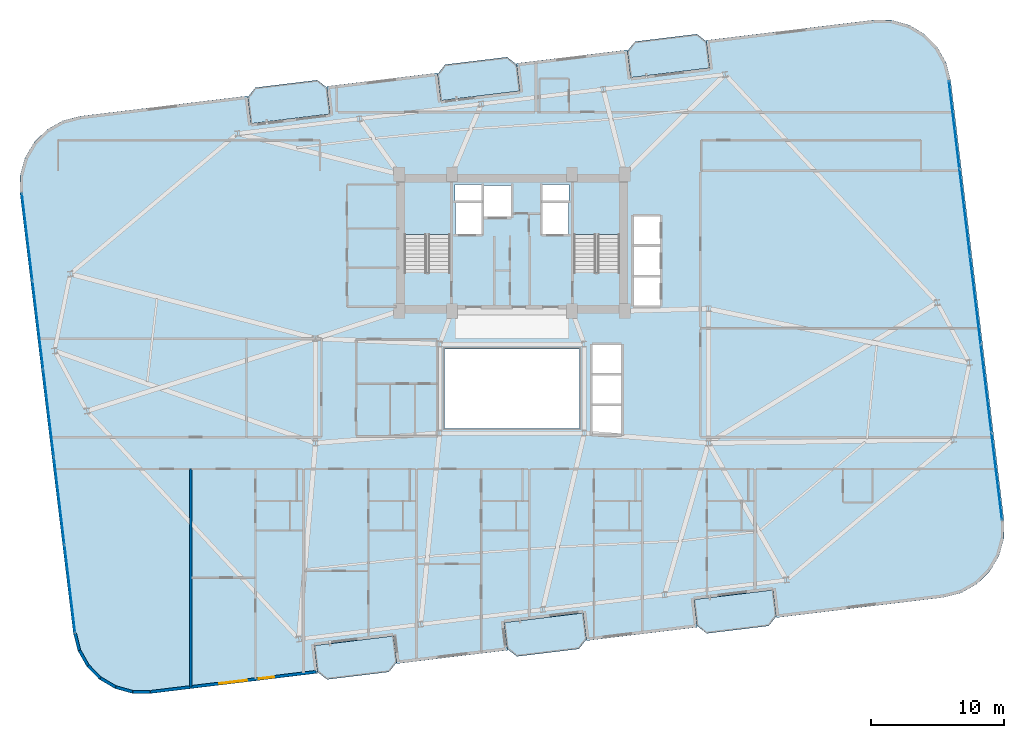
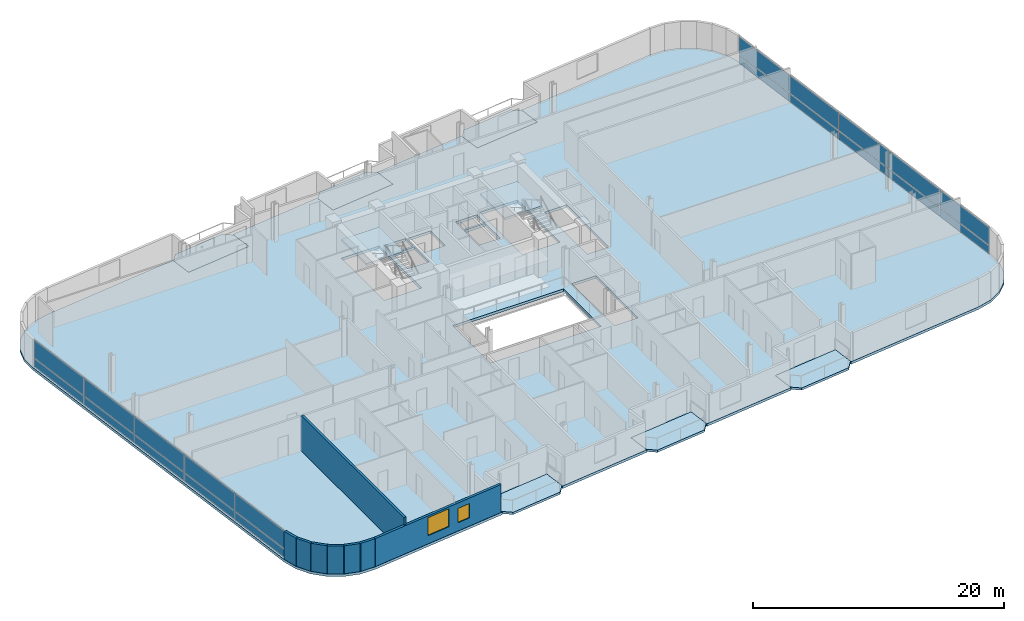
# One storey, part 13 of 23: 20 plates, 9 slabs, 8 walls, 2 windows, 2 openings, 4 elements without a shape of their own.
"""IFC4 building model written with IfcOpenShell, lengths in metres."""

import ifcopenshell
import ifcopenshell.guid

model = None  # the IFC model being written
_history = None  # IfcOwnerHistory: only IFC2X3 demands one
_inside = {}  # id of a spatial element -> (the spatial element, [elements in it])
_under = {}  # id of a project, library or spatial element -> (it, [spatial elements below it])
_declared = {}  # id of a project -> (the project, [libraries it declares])
_typed = {}  # id of a type object -> (the type object, [elements of that type])
_made_of = {}  # id of a material, layer set ... -> (it, [elements and type objects made of it])


def new_model(schema):
    """Start an empty IFC model of exactly this schema.

    Asked for "IFC4X3", IfcOpenShell would pick the latest addendum, in which some entities
    have other attributes; the version numbers below select the first issue.
    IFC2X3 requires an IfcOwnerHistory on every rooted entity: one is made here for all.
    """
    global model, _history
    if schema == "IFC4X3":
        model = ifcopenshell.file(schema_version=(4, 3, 0, 0))
    else:
        model = ifcopenshell.file(schema=schema)
    _inside.clear()
    _under.clear()
    _declared.clear()
    _typed.clear()
    _made_of.clear()
    _history = None
    if model.schema == "IFC2X3":
        org = make("IfcOrganization", Name="unknown")
        user = make(
            "IfcPersonAndOrganization",
            ThePerson=make("IfcPerson", FamilyName="unknown"),
            TheOrganization=org,
        )
        app = make(
            "IfcApplication",
            ApplicationDeveloper=org,
            Version="unknown",
            ApplicationFullName="unknown",
            ApplicationIdentifier="unknown",
        )
        _history = make(
            "IfcOwnerHistory",
            OwningUser=user,
            OwningApplication=app,
            ChangeAction="ADDED",
            CreationDate=0,
        )
    return model


def make(cls, **values):
    """One entity of the class cls with the attributes given. An attribute that is None is left unset."""
    return model.create_entity(
        cls, **{name: value for name, value in values.items() if value is not None}
    )


def rooted(cls, **values):
    """An entity with a GlobalId (a new one), such as an element, a storey or a relation."""
    return make(cls, GlobalId=ifcopenshell.guid.new(), OwnerHistory=_history, **values)


def si_unit(unit_type, name, prefix=None):
    """IfcSIUnit, for example si_unit("LENGTHUNIT", "METRE", prefix="MILLI")."""
    return make("IfcSIUnit", UnitType=unit_type, Prefix=prefix, Name=name)


def assignment(units):
    """IfcUnitAssignment: the units of a project."""
    return None if units is None else make("IfcUnitAssignment", Units=units)


def point(xyz):
    """IfcCartesianPoint."""
    return None if xyz is None else make("IfcCartesianPoint", Coordinates=xyz)


def direction(xyz):
    """IfcDirection."""
    return None if xyz is None else make("IfcDirection", DirectionRatios=xyz)


def frame(location, z_axis=None, x_axis=None):
    """IfcAxis2Placement3D, a coordinate frame: its origin and axes. An axis left out is left unset."""
    return make(
        "IfcAxis2Placement3D",
        Location=point(location),
        Axis=direction(z_axis),
        RefDirection=direction(x_axis),
    )


def frame_2d(location, x_axis=None):
    """IfcAxis2Placement2D, a coordinate frame in the plane: its origin and x axis."""
    return make(
        "IfcAxis2Placement2D", Location=point(location), RefDirection=direction(x_axis)
    )


def origin():
    """The frame at (0, 0, 0) with its axes left unset."""
    return frame((0.0, 0.0, 0.0))


def origin_2d():
    """The frame at (0, 0) in the plane with its x axis left unset."""
    return frame_2d((0.0, 0.0))


def place(relative_to, where):
    """IfcLocalPlacement: puts the frame where relative to a parent placement (None: the world)."""
    return make(
        "IfcLocalPlacement", PlacementRelTo=relative_to, RelativePlacement=where
    )


def context(
    kind, dimensions, precision=None, world=None, true_north=None, identifier=None
):
    """IfcGeometricRepresentationContext, for example the 3D "Model" context."""
    return make(
        "IfcGeometricRepresentationContext",
        ContextIdentifier=identifier,
        ContextType=kind,
        CoordinateSpaceDimension=dimensions,
        Precision=precision,
        WorldCoordinateSystem=world,
        TrueNorth=true_north,
    )


def subcontext(parent, identifier, kind, view, scale=None):
    """IfcGeometricRepresentationSubContext, for example "Body" below "Model"."""
    return make(
        "IfcGeometricRepresentationSubContext",
        ContextIdentifier=identifier,
        ContextType=kind,
        ParentContext=parent,
        TargetScale=scale,
        TargetView=view,
    )


def project(units=None, contexts=None):
    """IfcProject with its units and contexts."""
    return rooted(
        "IfcProject",
        Name="project",
        RepresentationContexts=contexts,
        UnitsInContext=assignment(units),
    )


def spatial(cls, under=None, at=None, **own):
    """A site, building, storey or space (cls), placed at a placement, below another one or the project."""
    s = rooted(cls, ObjectPlacement=at, **own)
    if under is not None:
        _under.setdefault(under.id(), (under, []))[1].append(s)
    return s


def polyline(points):
    """IfcPolyline through the points."""
    return make("IfcPolyline", Points=[point(p) for p in points])


def profile(cls, at=None, kind="AREA", **sizes):
    """A parametric profile (cls). Its sizes go by their IFC names, for example OverallWidth=200.0."""
    return make(cls, ProfileType=kind, Position=at, **sizes)


def rectangle(**sizes):
    """IfcRectangleProfileDef."""
    return profile("IfcRectangleProfileDef", **sizes)


def outline(outer, holes=None, kind="AREA"):
    """IfcArbitraryClosedProfileDef: a profile drawn as a closed curve; with holes, ...WithVoids."""
    if holes is None:
        return make("IfcArbitraryClosedProfileDef", ProfileType=kind, OuterCurve=outer)
    return make(
        "IfcArbitraryProfileDefWithVoids",
        ProfileType=kind,
        OuterCurve=outer,
        InnerCurves=holes,
    )


def extrude(swept, where, along, depth):
    """IfcExtrudedAreaSolid: the profile swept, set in the frame where, extruded along a direction by depth."""
    return make(
        "IfcExtrudedAreaSolid",
        SweptArea=swept,
        Position=where,
        ExtrudedDirection=direction(along),
        Depth=depth,
    )


def shape(context_of_items, identifier, shape_type, items):
    """IfcShapeRepresentation: the items that make up one representation, for example the "Body"."""
    return make(
        "IfcShapeRepresentation",
        ContextOfItems=context_of_items,
        RepresentationIdentifier=identifier,
        RepresentationType=shape_type,
        Items=items,
    )


def source(mapping_origin, context_of_items, identifier, shape_type, items):
    """IfcRepresentationMap: a shape defined once, which mapped items show again and again."""
    return make(
        "IfcRepresentationMap",
        MappingOrigin=mapping_origin,
        MappedRepresentation=shape(context_of_items, identifier, shape_type, items),
    )


def transform(
    local_origin,
    x_axis=None,
    y_axis=None,
    z_axis=None,
    scale=None,
    scale2=None,
    scale3=None,
    uniform=True,
):
    """IfcCartesianTransformationOperator3D, or its non-uniform kind. x_axis, y_axis, z_axis: its Axis1, 2, 3."""
    if uniform:
        return make(
            "IfcCartesianTransformationOperator3D",
            Axis1=direction(x_axis),
            Axis2=direction(y_axis),
            LocalOrigin=point(local_origin),
            Scale=scale,
            Axis3=direction(z_axis),
        )
    return make(
        "IfcCartesianTransformationOperator3DnonUniform",
        Axis1=direction(x_axis),
        Axis2=direction(y_axis),
        LocalOrigin=point(local_origin),
        Scale=scale,
        Axis3=direction(z_axis),
        Scale2=scale2,
        Scale3=scale3,
    )


def mapped(mapping_source, mapping_target):
    """IfcMappedItem: shows the shape of a source again, moved by a transform."""
    return make(
        "IfcMappedItem", MappingSource=mapping_source, MappingTarget=mapping_target
    )


def material(Name=None, Category=None):
    """IfcMaterial."""
    return make("IfcMaterial", Name=Name, Category=Category)


def layer(
    of_material, thickness, ventilated=None, Name=None, Category=None, Priority=None
):
    """IfcMaterialLayer: one layer of a wall or slab, of a material (None: an air gap)."""
    return make(
        "IfcMaterialLayer",
        Material=of_material,
        LayerThickness=thickness,
        IsVentilated=ventilated,
        Name=Name,
        Category=Category,
        Priority=Priority,
    )


def layer_set(layers, Name=None):
    """IfcMaterialLayerSet."""
    return make("IfcMaterialLayerSet", MaterialLayers=layers, LayerSetName=Name)


def made_of(thing, what):
    """Note that an element or type object is made of a material, layer set ...; save() writes the relation."""
    if what is not None:
        _made_of.setdefault(what.id(), (what, []))[1].append(thing)
    return thing


def type_object(cls, material=None, **own):
    """A type object (cls), such as IfcWallType, which elements share."""
    return made_of(rooted(cls, **own), material)


def element(
    cls,
    number,
    at=None,
    inside=None,
    cuts=None,
    type_object=None,
    material=None,
    context=None,
    identifier="Body",
    shape_type=None,
    held_by="IfcProductDefinitionShape",
    body=None,
    shapes=None,
    **own,
):
    """One element of the class cls, such as IfcWall. Its Tag is "e" and its number.

    at: its placement. inside: the storey or other place that contains it. cuts: it is an
    opening in that element (IfcRelVoidsElement). A single representation is given by context,
    identifier, shape_type and body (its items); several are given by shapes. held_by: the class
    of the entity that holds the representations. save() writes the other relations.
    """
    e = rooted(cls, Tag="e%d" % number, ObjectPlacement=at, **own)
    if body is not None:
        shapes = [shape(context, identifier, shape_type, body)]
    if shapes is not None:
        e.Representation = make(held_by, Representations=shapes)
    if inside is not None:
        _inside.setdefault(inside.id(), (inside, []))[1].append(e)
    if cuts is not None:
        rooted(
            "IfcRelVoidsElement", RelatingBuildingElement=cuts, RelatedOpeningElement=e
        )
    if type_object is not None:
        _typed.setdefault(type_object.id(), (type_object, []))[1].append(e)
    return made_of(e, material)


def fill(opening, filler):
    """IfcRelFillsElement: the door or window that sits in an opening."""
    return rooted(
        "IfcRelFillsElement",
        RelatingOpeningElement=opening,
        RelatedBuildingElement=filler,
    )


def aggregate(whole, parts):
    """IfcRelAggregates: a whole, such as a stair, and the parts it consists of."""
    return rooted("IfcRelAggregates", RelatingObject=whole, RelatedObjects=parts)


def save(model, path):
    """Write the relations noted so far, then the file.

    IfcRelAggregates (storeys below a building ...), IfcRelContainedInSpatialStructure (elements
    in a storey), IfcRelDefinesByType, IfcRelAssociatesMaterial and IfcRelDeclares: one each for
    every whole, place, type object, material and project.
    """
    for whole, parts in _under.values():
        aggregate(whole, parts)
    for where, things in _inside.values():
        rooted(
            "IfcRelContainedInSpatialStructure",
            RelatedElements=things,
            RelatingStructure=where,
        )
    for kind, things in _typed.values():
        rooted("IfcRelDefinesByType", RelatedObjects=things, RelatingType=kind)
    for what, things in _made_of.values():
        rooted("IfcRelAssociatesMaterial", RelatedObjects=things, RelatingMaterial=what)
    for by, libraries in _declared.values():
        rooted("IfcRelDeclares", RelatingContext=by, RelatedDefinitions=libraries)
    model.write(path)


model = new_model("IFC4")

# Units and contexts
model_context = context("Model", 3, precision=1e-05, world=origin(), true_north=direction((0.0, 1.0)))
body_context = subcontext(model_context, "Body", "Model", "MODEL_VIEW")
ifc_project = project(units=[si_unit("LENGTHUNIT", "METRE"), si_unit("AREAUNIT", "SQUARE_METRE"), si_unit("VOLUMEUNIT", "CUBIC_METRE"), si_unit("PLANEANGLEUNIT", "RADIAN"), si_unit("MASSUNIT", "GRAM", prefix="KILO")], contexts=[model_context])

# Site, building, storey
site_placement = place(None, origin())
site = spatial("IfcSite", under=ifc_project, at=site_placement, CompositionType="ELEMENT")
building_placement = place(site_placement, origin())
building = spatial("IfcBuilding", under=site, at=building_placement, Name="Varnelok Gate Tower", CompositionType="ELEMENT")
storey_placement = place(building_placement, frame((0.0, 0.0, 193.10009765625)))
storey = spatial("IfcBuildingStorey", under=building, at=storey_placement, Name="L49", CompositionType="ELEMENT", Elevation=193.10009765625)

# Slabs
ifc_material_1 = material(Name="Concrete C45/55", Category="concrete")
ifc_layer_1 = layer(ifc_material_1, 0.219970703125)
ifc_layer_set_1 = layer_set([ifc_layer_1], Name="Concrete C45/55")
slab_type_1 = type_object("IfcSlabType", Name="SLB-BALC-220", PredefinedType="FLOOR", material=ifc_layer_set_1)
slab_1_placement = place(storey_placement, frame((0.0, 0.0, -0.22021484375)))
element("IfcSlab", 1, at=slab_1_placement, inside=storey, type_object=slab_type_1, Name="L49 South Hollow Balcony 1", PredefinedType="FLOOR", context=body_context, shape_type="SweptSolid", body=[
    extrude(outline(polyline([(24.550048828125, 1.564453125), (25.2734375, 0.997314453125), (29.939208984375, 1.56298828125), (30.50634765625, 2.28662109375), (30.265625, 4.27197265625), (24.309326171875, 3.5498046875), (24.550048828125, 1.564453125)])), origin(), (0.0, 0.0, 1.0), 0.22021484375),
])
slab_2_placement = place(storey_placement, frame((0.0, 0.0, -0.22021484375)))
element("IfcSlab", 2, at=slab_2_placement, inside=storey, type_object=slab_type_1, Name="L49 South Hollow Balcony 2", PredefinedType="FLOOR", context=body_context, shape_type="SweptSolid", body=[
    extrude(outline(polyline([(38.84521484375, 3.29736328125), (39.56884765625, 2.73046875), (44.234619140625, 3.2958984375), (44.8017578125, 4.01953125), (44.56103515625, 6.0048828125), (38.6044921875, 5.282958984375), (38.84521484375, 3.29736328125)])), origin(), (0.0, 0.0, 1.0), 0.22021484375),
])
slab_3_placement = place(storey_placement, frame((0.0, 0.0, -0.22021484375)))
element("IfcSlab", 3, at=slab_3_placement, inside=storey, type_object=slab_type_1, Name="L49 South Hollow Balcony 3", PredefinedType="FLOOR", context=body_context, shape_type="SweptSolid", body=[
    extrude(outline(polyline([(53.140625, 5.030517578125), (53.8642578125, 4.46337890625), (58.530029296875, 5.02880859375), (59.09716796875, 5.75244140625), (58.8564453125, 7.73779296875), (52.89990234375, 7.015869140625), (53.140625, 5.030517578125)])), origin(), (0.0, 0.0, 1.0), 0.22021484375),
])
slab_4_placement = place(storey_placement, frame((0.0, 0.0, -0.22021484375)))
element("IfcSlab", 4, at=slab_4_placement, inside=storey, type_object=slab_type_1, Name="L49 North Hollow Balcony 1", PredefinedType="FLOOR", context=body_context, shape_type="SweptSolid", body=[
    extrude(outline(polyline([(19.543701171875, 42.862060546875), (25.5, 43.584228515625), (25.25927734375, 45.569580078125), (24.535888671875, 46.13671875), (19.8701171875, 45.571044921875), (19.302978515625, 44.84765625), (19.543701171875, 42.862060546875)])), origin(), (0.0, 0.0, 1.0), 0.22021484375),
])
slab_5_placement = place(storey_placement, frame((0.0, 0.0, -0.22021484375)))
element("IfcSlab", 5, at=slab_5_placement, inside=storey, type_object=slab_type_1, Name="L49 North Hollow Balcony 2", PredefinedType="FLOOR", context=body_context, shape_type="SweptSolid", body=[
    extrude(outline(polyline([(33.839111328125, 44.59521484375), (39.79541015625, 45.317138671875), (39.5546875, 47.302490234375), (38.831298828125, 47.86962890625), (34.165283203125, 47.303955078125), (33.598388671875, 46.58056640625), (33.839111328125, 44.59521484375)])), origin(), (0.0, 0.0, 1.0), 0.22021484375),
])
slab_6_placement = place(storey_placement, frame((0.0, 0.0, -0.22021484375)))
element("IfcSlab", 6, at=slab_6_placement, inside=storey, type_object=slab_type_1, Name="L49 North Hollow Balcony 3", PredefinedType="FLOOR", context=body_context, shape_type="SweptSolid", body=[
    extrude(outline(polyline([(48.13427734375, 46.327880859375), (54.0908203125, 47.050048828125), (53.85009765625, 49.03564453125), (53.12646484375, 49.6025390625), (48.460693359375, 49.037109375), (47.8935546875, 48.3134765625), (48.13427734375, 46.327880859375)])), origin(), (0.0, 0.0, 1.0), 0.22021484375),
])

# Stair, slab
ifc_material_2 = material(Name="Concrete C50/60", Category="concrete")
stair_type = type_object("IfcStairType", Name="STR-CORE-1650", PredefinedType="HALF_TURN_STAIR", material=ifc_material_2)
stair_1_placement = place(storey_placement, origin())
stair_1 = element("IfcStair", 7, at=stair_1_placement, inside=storey, type_object=stair_type, Name="L49 Exit Stair ST-1", PredefinedType="HALF_TURN_STAIR")
ifc_layer_2 = layer(ifc_material_1, 0.199951171875)
ifc_layer_set_2 = layer_set([ifc_layer_2], Name="Concrete C45/55")
slab_type_2 = type_object("IfcSlabType", Name="SLB-LAND-200", PredefinedType="LANDING", material=ifc_layer_set_2)
slab_7_placement = place(storey_placement, frame((0.0, 0.0, 1.64990234375)))
slab_7 = element("IfcSlab", 8, at=slab_7_placement, type_object=slab_type_2, Name="ST-1 landing 1", PredefinedType="LANDING", context=body_context, shape_type="SweptSolid", body=[
    extrude(outline(polyline([(34.550048828125, 34.5), (34.550048828125, 38.449951171875), (31.10009765625, 38.449951171875), (31.10009765625, 34.5), (34.550048828125, 34.5)])), origin(), (0.0, 0.0, 1.0), 0.199951171875),
])
aggregate(stair_1, [slab_7])

stair_2_placement = place(storey_placement, origin())
stair_2 = element("IfcStair", 9, at=stair_2_placement, inside=storey, type_object=stair_type, Name="L49 Exit Stair ST-2", PredefinedType="HALF_TURN_STAIR")
slab_8_placement = place(storey_placement, frame((0.0, 0.0, 1.64990234375)))
slab_8 = element("IfcSlab", 10, at=slab_8_placement, type_object=slab_type_2, Name="ST-2 landing 1", PredefinedType="LANDING", context=body_context, shape_type="SweptSolid", body=[
    extrude(outline(polyline([(47.300048828125, 34.5), (47.300048828125, 38.449951171875), (43.85009765625, 38.449951171875), (43.85009765625, 34.5), (47.300048828125, 34.5)])), origin(), (0.0, 0.0, 1.0), 0.199951171875),
])
aggregate(stair_2, [slab_8])

# Slab
ifc_layer_3 = layer(ifc_material_2, 0.25)
ifc_layer_set_3 = layer_set([ifc_layer_3], Name="Concrete C50/60")
slab_type_3 = type_object("IfcSlabType", Name="SLB-TYP-250", PredefinedType="FLOOR", material=ifc_layer_set_3)
slab_9_placement = place(storey_placement, frame((0.0, 0.0, -0.25)))
element("IfcSlab", 11, at=slab_9_placement, inside=storey, type_object=slab_type_3, Name="L49 Structural Floor Slab", PredefinedType="FLOOR", context=body_context, shape_type="SweptSolid", body=[
    extrude(outline(polyline([(6.166259765625, 4.47314453125), (6.504150390625, 3.158447265625), (7.1708984375, 1.975830078125), (8.120849609375, 1.006103515625), (9.289306640625, 0.3154296875), (10.596923828125, -0.04931640625), (11.954345703125, -0.063232421875), (22.87451171875, 1.260498046875), (24.56201171875, 1.465087890625), (24.309326171875, 3.5498046875), (30.265625, 4.27197265625), (30.518310546875, 2.187255859375), (38.857421875, 3.197998046875), (38.6044921875, 5.282958984375), (44.56103515625, 6.0048828125), (44.813720703125, 3.920166015625), (53.152587890625, 4.93115234375), (52.89990234375, 7.015869140625), (58.8564453125, 7.73779296875), (59.109130859375, 5.6533203125), (60.796630859375, 5.85791015625), (71.716796875, 7.181396484375), (73.031494140625, 7.519287109375), (74.214111328125, 8.18603515625), (75.183837890625, 9.135986328125), (75.87451171875, 10.3046875), (76.2392578125, 11.612060546875), (76.253173828125, 12.969482421875), (72.233642578125, 46.126708984375), (71.895751953125, 47.441650390625), (71.229248046875, 48.6240234375), (70.279296875, 49.59375), (69.110595703125, 50.284423828125), (67.802978515625, 50.6494140625), (66.44580078125, 50.6630859375), (55.525634765625, 49.33935546875), (53.837890625, 49.134765625), (54.0908203125, 47.050048828125), (48.13427734375, 46.327880859375), (47.881591796875, 48.412841796875), (39.54248046875, 47.40185546875), (39.79541015625, 45.317138671875), (33.839111328125, 44.59521484375), (33.586181640625, 46.6796875), (25.247314453125, 45.6689453125), (25.5, 43.584228515625), (19.543701171875, 42.862060546875), (19.291015625, 44.94677734375), (17.603271484375, 44.7421875), (6.68310546875, 43.41845703125), (5.368408203125, 43.08056640625), (4.18603515625, 42.413818359375), (3.21630859375, 41.464111328125), (2.525390625, 40.29541015625), (2.16064453125, 38.98779296875), (2.146728515625, 37.630615234375), (6.166259765625, 4.47314453125)]), holes=[polyline([(34.550048828125, 31.679931640625), (34.550048828125, 38.449951171875), (31.10009765625, 38.449951171875), (31.10009765625, 31.679931640625), (34.550048828125, 31.679931640625)]), polyline([(47.300048828125, 31.679931640625), (47.300048828125, 38.449951171875), (43.85009765625, 38.449951171875), (43.85009765625, 31.679931640625), (47.300048828125, 31.679931640625)]), polyline([(34.949951171875, 34.550048828125), (36.89990234375, 34.550048828125), (36.89990234375, 36.89990234375), (34.949951171875, 36.89990234375), (34.949951171875, 34.550048828125)]), polyline([(41.5, 34.550048828125), (43.449951171875, 34.550048828125), (43.449951171875, 36.89990234375), (41.5, 36.89990234375), (41.5, 34.550048828125)]), polyline([(37.050048828125, 35.85009765625), (39.14990234375, 35.85009765625), (39.14990234375, 38.199951171875), (37.050048828125, 38.199951171875), (37.050048828125, 35.85009765625)]), polyline([(48.35009765625, 29.14990234375), (50.35009765625, 29.14990234375), (50.35009765625, 35.89990234375), (48.35009765625, 35.89990234375), (48.35009765625, 29.14990234375)]), polyline([(45.25, 19.449951171875), (47.449951171875, 19.449951171875), (47.449951171875, 26.199951171875), (45.25, 26.199951171875), (45.25, 19.449951171875)]), polyline([(34.919921875, 37.080078125), (36.89990234375, 37.080078125), (36.89990234375, 38.280029296875), (34.919921875, 38.280029296875), (34.919921875, 37.080078125)]), polyline([(41.5, 37.080078125), (43.47998046875, 37.080078125), (43.47998046875, 38.280029296875), (41.5, 38.280029296875), (41.5, 37.080078125)]), polyline([(34.10009765625, 19.89990234375), (44.300048828125, 19.89990234375), (44.300048828125, 25.89990234375), (34.10009765625, 25.89990234375), (34.10009765625, 19.89990234375)])]), origin(), (0.0, 0.0, 1.0), 0.25),
])

# Curtain wall, plates
ifc_material_3 = material(Name="Anodized Aluminum Alloy 6063-T6", Category="aluminium")
ifc_layer_4 = layer(ifc_material_3, 0.179931640625)
ifc_layer_set_4 = layer_set([ifc_layer_4], Name="Anodized Aluminum Alloy 6063-T6")
curtain_wall_type = type_object("IfcCurtainWallType", Name="CW4-RESIDENCE-VISION", PredefinedType="USERDEFINED", material=ifc_layer_set_4)
curtain_wall_1_placement = place(storey_placement, origin())
curtain_wall_1 = element("IfcCurtainWall", 12, at=curtain_wall_1_placement, inside=storey, type_object=curtain_wall_type, Name="L49 West End Vision Curtain Wall", ObjectType="UNITISED CURTAIN WALL", PredefinedType="USERDEFINED")
ifc_material_4 = material(Name="Low-E Laminated Double Glazing IGU", Category="glass")
ifc_layer_5 = layer(ifc_material_4, 0.035888671875)
ifc_layer_set_5 = layer_set([ifc_layer_5], Name="Low-E Laminated Double Glazing IGU")
plate_type = type_object("IfcPlateType", Name="CW-PNL-IGU36", PredefinedType="CURTAIN_PANEL", material=ifc_layer_set_5)
shared_shape_1 = source(origin(), body_context, "Body", "SweptSolid", [
    extrude(rectangle(XDim=6.5673828125, YDim=0.035888671875, at=origin_2d()), origin(), (0.0, 0.0, 1.0), 0.78759765625),
])
plate_1_placement = place(storey_placement, frame((5.901123046875, 7.824462890625, 0.074951171875), z_axis=(0.0, 0.0, 1.0), x_axis=(-0.120344511371, 0.992732188751, 0.0)))
plate_1 = element("IfcPlate", 13, at=plate_1_placement, type_object=plate_type, Name="CW4 panel 1.1", PredefinedType="CURTAIN_PANEL", context=body_context, shape_type="MappedRepresentation", body=[
    mapped(shared_shape_1, transform((0.0, 0.0, 0.0), scale=1.0)),
])
plate_2_placement = place(storey_placement, frame((2.68994140625, 34.31298828125, 0.074951171875), z_axis=(0.0, 0.0, 1.0), x_axis=(-0.120344511371, 0.992732188751, 0.0)))
plate_2 = element("IfcPlate", 14, at=plate_2_placement, type_object=plate_type, Name="CW4 panel 5.1", PredefinedType="CURTAIN_PANEL", context=body_context, shape_type="MappedRepresentation", body=[
    mapped(shared_shape_1, transform((0.0, 0.0, 0.0), scale=1.0)),
])

curtain_wall_2_placement = place(storey_placement, origin())
curtain_wall_2 = element("IfcCurtainWall", 15, at=curtain_wall_2_placement, inside=storey, type_object=curtain_wall_type, Name="L49 East End Vision Curtain Wall", ObjectType="UNITISED CURTAIN WALL", PredefinedType="USERDEFINED")
plate_3_placement = place(storey_placement, frame((72.4990234375, 42.775634765625, 0.074951171875), z_axis=(0.0, 0.0, 1.0), x_axis=(0.120344511371, -0.992732188751, 0.0)))
plate_3 = element("IfcPlate", 16, at=plate_3_placement, type_object=plate_type, Name="CW4 panel 1.1", PredefinedType="CURTAIN_PANEL", context=body_context, shape_type="MappedRepresentation", body=[
    mapped(shared_shape_1, transform((0.0, 0.0, 0.0), scale=1.0)),
])
plate_4_placement = place(storey_placement, frame((75.7099609375, 16.287109375, 0.074951171875), z_axis=(0.0, 0.0, 1.0), x_axis=(0.120344511371, -0.992732188751, 0.0)))
plate_4 = element("IfcPlate", 17, at=plate_4_placement, type_object=plate_type, Name="CW4 panel 5.1", PredefinedType="CURTAIN_PANEL", context=body_context, shape_type="MappedRepresentation", body=[
    mapped(shared_shape_1, transform((0.0, 0.0, 0.0), scale=1.0)),
])

# Plate
shared_shape_2 = source(origin(), body_context, "Body", "SweptSolid", [
    extrude(rectangle(XDim=6.5673828125, YDim=0.035888671875, at=origin_2d()), origin(), (0.0, 0.0, 1.0), 1.717529296875),
])
plate_5_placement = place(storey_placement, frame((5.901123046875, 7.824462890625, 0.9375), z_axis=(0.0, 0.0, 1.0), x_axis=(-0.120344511371, 0.992732188751, 0.0)))
plate_5 = element("IfcPlate", 18, at=plate_5_placement, type_object=plate_type, Name="CW4 panel 1.2", PredefinedType="CURTAIN_PANEL", context=body_context, shape_type="MappedRepresentation", body=[
    mapped(shared_shape_2, transform((0.0, 0.0, 0.0), scale=1.0)),
])

plate_6_placement = place(storey_placement, frame((2.68994140625, 34.31298828125, 0.9375), z_axis=(0.0, 0.0, 1.0), x_axis=(-0.120344511371, 0.992732188751, 0.0)))
plate_6 = element("IfcPlate", 19, at=plate_6_placement, type_object=plate_type, Name="CW4 panel 5.2", PredefinedType="CURTAIN_PANEL", context=body_context, shape_type="MappedRepresentation", body=[
    mapped(shared_shape_2, transform((0.0, 0.0, 0.0), scale=1.0)),
])

plate_7_placement = place(storey_placement, frame((72.4990234375, 42.775634765625, 0.9375), z_axis=(0.0, 0.0, 1.0), x_axis=(0.120344511371, -0.992732188751, 0.0)))
plate_7 = element("IfcPlate", 20, at=plate_7_placement, type_object=plate_type, Name="CW4 panel 1.2", PredefinedType="CURTAIN_PANEL", context=body_context, shape_type="MappedRepresentation", body=[
    mapped(shared_shape_2, transform((0.0, 0.0, 0.0), scale=1.0)),
])

plate_8_placement = place(storey_placement, frame((75.7099609375, 16.287109375, 0.9375), z_axis=(0.0, 0.0, 1.0), x_axis=(0.120344511371, -0.992732188751, 0.0)))
plate_8 = element("IfcPlate", 21, at=plate_8_placement, type_object=plate_type, Name="CW4 panel 5.2", PredefinedType="CURTAIN_PANEL", context=body_context, shape_type="MappedRepresentation", body=[
    mapped(shared_shape_2, transform((0.0, 0.0, 0.0), scale=1.0)),
])

shared_shape_3 = source(origin(), body_context, "Body", "SweptSolid", [
    extrude(rectangle(XDim=6.60498046875, YDim=0.035888671875, at=origin_2d()), origin(), (0.0, 0.0, 1.0), 0.78759765625),
])
plate_9_placement = place(storey_placement, frame((5.099365234375, 14.437255859375, 0.074951171875), z_axis=(0.0, 0.0, 1.0), x_axis=(-0.120344511371, 0.992732188751, 0.0)))
plate_9 = element("IfcPlate", 22, at=plate_9_placement, type_object=plate_type, Name="CW4 panel 2.1", PredefinedType="CURTAIN_PANEL", context=body_context, shape_type="MappedRepresentation", body=[
    mapped(shared_shape_3, transform((0.0, 0.0, 0.0), scale=1.0)),
])

plate_10_placement = place(storey_placement, frame((4.295654296875, 21.068603515625, 0.074951171875), z_axis=(0.0, 0.0, 1.0), x_axis=(-0.120344511371, 0.992732188751, 0.0)))
plate_10 = element("IfcPlate", 23, at=plate_10_placement, type_object=plate_type, Name="CW4 panel 3.1", PredefinedType="CURTAIN_PANEL", context=body_context, shape_type="MappedRepresentation", body=[
    mapped(shared_shape_3, transform((0.0, 0.0, 0.0), scale=1.0)),
])

plate_11_placement = place(storey_placement, frame((3.49169921875, 27.7001953125, 0.074951171875), z_axis=(0.0, 0.0, 1.0), x_axis=(-0.120344511371, 0.992732188751, 0.0)))
plate_11 = element("IfcPlate", 24, at=plate_11_placement, type_object=plate_type, Name="CW4 panel 4.1", PredefinedType="CURTAIN_PANEL", context=body_context, shape_type="MappedRepresentation", body=[
    mapped(shared_shape_3, transform((0.0, 0.0, 0.0), scale=1.0)),
])

plate_12_placement = place(storey_placement, frame((73.300537109375, 36.162841796875, 0.074951171875), z_axis=(0.0, 0.0, 1.0), x_axis=(0.120344511371, -0.992732188751, 0.0)))
plate_12 = element("IfcPlate", 25, at=plate_12_placement, type_object=plate_type, Name="CW4 panel 2.1", PredefinedType="CURTAIN_PANEL", context=body_context, shape_type="MappedRepresentation", body=[
    mapped(shared_shape_3, transform((0.0, 0.0, 0.0), scale=1.0)),
])

plate_13_placement = place(storey_placement, frame((74.1044921875, 29.53125, 0.074951171875), z_axis=(0.0, 0.0, 1.0), x_axis=(0.120344511371, -0.992732188751, 0.0)))
plate_13 = element("IfcPlate", 26, at=plate_13_placement, type_object=plate_type, Name="CW4 panel 3.1", PredefinedType="CURTAIN_PANEL", context=body_context, shape_type="MappedRepresentation", body=[
    mapped(shared_shape_3, transform((0.0, 0.0, 0.0), scale=1.0)),
])

plate_14_placement = place(storey_placement, frame((74.908447265625, 22.89990234375, 0.074951171875), z_axis=(0.0, 0.0, 1.0), x_axis=(0.120344511371, -0.992732188751, 0.0)))
plate_14 = element("IfcPlate", 27, at=plate_14_placement, type_object=plate_type, Name="CW4 panel 4.1", PredefinedType="CURTAIN_PANEL", context=body_context, shape_type="MappedRepresentation", body=[
    mapped(shared_shape_3, transform((0.0, 0.0, 0.0), scale=1.0)),
])

shared_shape_4 = source(origin(), body_context, "Body", "SweptSolid", [
    extrude(rectangle(XDim=6.60498046875, YDim=0.035888671875, at=origin_2d()), origin(), (0.0, 0.0, 1.0), 1.717529296875),
])
plate_15_placement = place(storey_placement, frame((5.099365234375, 14.437255859375, 0.9375), z_axis=(0.0, 0.0, 1.0), x_axis=(-0.120344511371, 0.992732188751, 0.0)))
plate_15 = element("IfcPlate", 28, at=plate_15_placement, type_object=plate_type, Name="CW4 panel 2.2", PredefinedType="CURTAIN_PANEL", context=body_context, shape_type="MappedRepresentation", body=[
    mapped(shared_shape_4, transform((0.0, 0.0, 0.0), scale=1.0)),
])

plate_16_placement = place(storey_placement, frame((4.295654296875, 21.068603515625, 0.9375), z_axis=(0.0, 0.0, 1.0), x_axis=(-0.120344511371, 0.992732188751, 0.0)))
plate_16 = element("IfcPlate", 29, at=plate_16_placement, type_object=plate_type, Name="CW4 panel 3.2", PredefinedType="CURTAIN_PANEL", context=body_context, shape_type="MappedRepresentation", body=[
    mapped(shared_shape_4, transform((0.0, 0.0, 0.0), scale=1.0)),
])

plate_17_placement = place(storey_placement, frame((3.49169921875, 27.7001953125, 0.9375), z_axis=(0.0, 0.0, 1.0), x_axis=(-0.120344511371, 0.992732188751, 0.0)))
plate_17 = element("IfcPlate", 30, at=plate_17_placement, type_object=plate_type, Name="CW4 panel 4.2", PredefinedType="CURTAIN_PANEL", context=body_context, shape_type="MappedRepresentation", body=[
    mapped(shared_shape_4, transform((0.0, 0.0, 0.0), scale=1.0)),
])

aggregate(curtain_wall_1, [plate_1, plate_5, plate_9, plate_15, plate_10, plate_16, plate_11, plate_17, plate_2, plate_6])

plate_18_placement = place(storey_placement, frame((73.300537109375, 36.162841796875, 0.9375), z_axis=(0.0, 0.0, 1.0), x_axis=(0.120344511371, -0.992732188751, 0.0)))
plate_18 = element("IfcPlate", 31, at=plate_18_placement, type_object=plate_type, Name="CW4 panel 2.2", PredefinedType="CURTAIN_PANEL", context=body_context, shape_type="MappedRepresentation", body=[
    mapped(shared_shape_4, transform((0.0, 0.0, 0.0), scale=1.0)),
])

plate_19_placement = place(storey_placement, frame((74.1044921875, 29.53125, 0.9375), z_axis=(0.0, 0.0, 1.0), x_axis=(0.120344511371, -0.992732188751, 0.0)))
plate_19 = element("IfcPlate", 32, at=plate_19_placement, type_object=plate_type, Name="CW4 panel 3.2", PredefinedType="CURTAIN_PANEL", context=body_context, shape_type="MappedRepresentation", body=[
    mapped(shared_shape_4, transform((0.0, 0.0, 0.0), scale=1.0)),
])

plate_20_placement = place(storey_placement, frame((74.908447265625, 22.89990234375, 0.9375), z_axis=(0.0, 0.0, 1.0), x_axis=(0.120344511371, -0.992732188751, 0.0)))
plate_20 = element("IfcPlate", 33, at=plate_20_placement, type_object=plate_type, Name="CW4 panel 4.2", PredefinedType="CURTAIN_PANEL", context=body_context, shape_type="MappedRepresentation", body=[
    mapped(shared_shape_4, transform((0.0, 0.0, 0.0), scale=1.0)),
])

aggregate(curtain_wall_2, [plate_3, plate_7, plate_12, plate_18, plate_13, plate_19, plate_14, plate_20, plate_4, plate_8])

# Walls
ifc_layer_6 = layer(ifc_material_1, 0.219970703125)
ifc_layer_set_6 = layer_set([ifc_layer_6], Name="Concrete C45/55")
wall_type_1 = type_object("IfcWallType", Name="EW-BALC-220", PredefinedType="SOLIDWALL", material=ifc_layer_set_6)
wall_1_placement = place(storey_placement, frame((6.286376953125, 4.48779296875, 0.0), z_axis=(0.0, 0.0, 1.0), x_axis=(0.248942347653, -0.968518305219, 0.0)))
element("IfcWall", 34, at=wall_1_placement, inside=storey, type_object=wall_type_1, Name="L49 Perimeter Facade Closure Wall 1", PredefinedType="SOLIDWALL", context=body_context, shape_type="SweptSolid", body=[
    extrude(rectangle(XDim=1.325927734375, YDim=0.219970703125, at=frame_2d((0.6630859375, 0.0))), origin(), (0.0, 0.0, 1.0), 2.72998046875),
])
for number, where, z_axis, x_axis, name in (
    (35, (6.62890625, 3.181884765625, 0.0), (0.0, 0.0, 1.0), (0.490956091431, -0.871184318205, 0.0), "L49 Perimeter Facade Closure Wall 2"),
    (36, (7.28515625, 2.03076171875, 0.0), (0.0, 0.0, 1.0), (0.699844331926, -0.714295394827, 0.0), "L49 Perimeter Facade Closure Wall 3"),
    (37, (8.217041015625, 1.088623046875, 0.0), (0.0, 0.0, 1.0), (0.860885425627, -0.508798863936, 0.0), "L49 Perimeter Facade Closure Wall 4"),
):
    element("IfcWall", number, at=place(storey_placement, frame(where, z_axis=z_axis, x_axis=x_axis)), inside=storey, type_object=wall_type_1, Name=name, PredefinedType="SOLIDWALL", context=body_context, shape_type="SweptSolid", body=[
        extrude(rectangle(XDim=1.30078125, YDim=0.219970703125, at=frame_2d((0.650390625, 0.0))), origin(), (0.0, 0.0, 1.0), 2.72998046875),
    ])
wall_2_placement = place(storey_placement, frame((9.36083984375, 0.420166015625, 0.0), z_axis=(0.0, 0.0, 1.0), x_axis=(0.963218895288, -0.268717992997, 0.0)))
element("IfcWall", 38, at=wall_2_placement, inside=storey, type_object=wall_type_1, Name="L49 Perimeter Facade Closure Wall 5", PredefinedType="SOLIDWALL", context=body_context, shape_type="SweptSolid", body=[
    extrude(rectangle(XDim=1.301025390625, YDim=0.219970703125, at=frame_2d((0.650390625, 0.0))), origin(), (0.0, 0.0, 1.0), 2.72998046875),
])
wall_3_placement = place(storey_placement, frame((10.638916015625, 0.0703125, 0.0), z_axis=(0.0, 0.0, 1.0), x_axis=(0.999947377741, -0.010258740119, 0.0)))
element("IfcWall", 39, at=wall_3_placement, inside=storey, type_object=wall_type_1, Name="L49 Perimeter Facade Closure Wall 6", PredefinedType="SOLIDWALL", context=body_context, shape_type="SweptSolid", body=[
    extrude(rectangle(XDim=1.308837890625, YDim=0.219970703125, at=frame_2d((0.654296875, 0.0))), origin(), (0.0, 0.0, 1.0), 2.72998046875),
])

# Wall, openings, windows
wall_4_placement = place(storey_placement, frame((11.972412109375, 0.059814453125, 0.0), z_axis=(0.0, 0.0, 1.0), x_axis=(0.992732021049, 0.120345894751, 0.0)))
wall_4 = element("IfcWall", 40, at=wall_4_placement, inside=storey, type_object=wall_type_1, Name="L49 Perimeter Facade Closure Wall 7", PredefinedType="SOLIDWALL", context=body_context, shape_type="SweptSolid", body=[
    extrude(rectangle(XDim=12.54736328125, YDim=0.219970703125, at=frame_2d((6.273681640625, 0.0))), origin(), (0.0, 0.0, 1.0), 2.72998046875),
])
opening_1_placement = place(wall_4_placement, frame((5.2236328125, 0.0, 0.800048828125)))
opening_1 = element("IfcOpeningElement", 41, at=opening_1_placement, cuts=wall_4, Name="Opening WN4", PredefinedType="OPENING", context=body_context, shape_type="SweptSolid", body=[
    extrude(rectangle(XDim=2.10009765625, YDim=1.75, at=frame_2d((1.050048828125, 0.875))), frame((0.0, 0.119873046875, 0.0), z_axis=(0.0, -1.0, 0.0), x_axis=(1.0, 0.0, 0.0)), (0.0, 0.0, 1.0), 0.239990234375),
])
opening_2_placement = place(wall_4_placement, frame((8.224853515625, 0.0, 0.800048828125)))
opening_2 = element("IfcOpeningElement", 42, at=opening_2_placement, cuts=wall_4, Name="Opening WN8", PredefinedType="OPENING", context=body_context, shape_type="SweptSolid", body=[
    extrude(rectangle(XDim=1.14990234375, YDim=1.39990234375, at=frame_2d((0.574951171875, 0.699951171875))), frame((0.0, 0.119873046875, 0.0), z_axis=(0.0, -1.0, 0.0), x_axis=(1.0, 0.0, 0.0)), (0.0, 0.0, 1.0), 0.239990234375),
])
window_type_1 = type_object("IfcWindowType", Name="WN-BED-1150", PartitioningType="SINGLE_PANEL", PredefinedType="WINDOW", material=ifc_material_4)
window_1_placement = place(opening_2_placement, origin())
window_1 = element("IfcWindow", 43, at=window_1_placement, inside=storey, type_object=window_type_1, Name="L49 Bedroom Vision Window 31", OverallHeight=1.39990234375, OverallWidth=1.14990234375, PartitioningType="SINGLE_PANEL", PredefinedType="WINDOW", context=body_context, shape_type="SweptSolid", body=[
    extrude(rectangle(XDim=1.14990234375, YDim=1.39990234375, at=frame_2d((0.574951171875, 0.699951171875))), frame((0.0, 0.030029296875, 0.0), z_axis=(0.0, -1.0, 0.0), x_axis=(1.0, 0.0, 0.0)), (0.0, 0.0, 1.0), 0.06005859375),
])
fill(opening_2, window_1)
window_type_2 = type_object("IfcWindowType", Name="WN-SUI-2100", PartitioningType="SINGLE_PANEL", PredefinedType="WINDOW", material=ifc_material_4)
window_2_placement = place(opening_1_placement, origin())
window_2 = element("IfcWindow", 44, at=window_2_placement, inside=storey, type_object=window_type_2, Name="L49 Perimeter Vision Window 7", OverallHeight=1.75, OverallWidth=2.10009765625, PartitioningType="SINGLE_PANEL", PredefinedType="WINDOW", context=body_context, shape_type="SweptSolid", body=[
    extrude(rectangle(XDim=2.10009765625, YDim=1.75, at=frame_2d((1.050048828125, 0.875))), frame((0.0, 0.030029296875, 0.0), z_axis=(0.0, -1.0, 0.0), x_axis=(1.0, 0.0, 0.0)), (0.0, 0.0, 1.0), 0.06005859375),
])
fill(opening_1, window_2)

# Wall
ifc_material_5 = material(Name="Gypsum Plasterboard Acoustic Partition", Category="gypsum")
ifc_layer_7 = layer(ifc_material_5, 0.205078125)
ifc_layer_set_7 = layer_set([ifc_layer_7], Name="Gypsum Plasterboard Acoustic Partition")
wall_type_2 = type_object("IfcWallType", Name="PW-PARTY-200", PredefinedType="PARTITIONING", material=ifc_layer_set_7)
wall_5_placement = place(storey_placement, frame((15.0, 0.447021484375, 0.0), z_axis=(0.0, 0.0, 1.0), x_axis=(0.0, 1.0, 0.0)))
element("IfcWall", 45, at=wall_5_placement, inside=storey, type_object=wall_type_2, Name="L49 South Party Wall 1", PredefinedType="PARTITIONING", context=body_context, shape_type="SweptSolid", body=[
    extrude(rectangle(XDim=16.403076171875, YDim=0.205078125, at=frame_2d((8.20166015625, 0.0))), origin(), (0.0, 0.0, 1.0), 3.449951171875),
])

save(model, "model.ifc")
